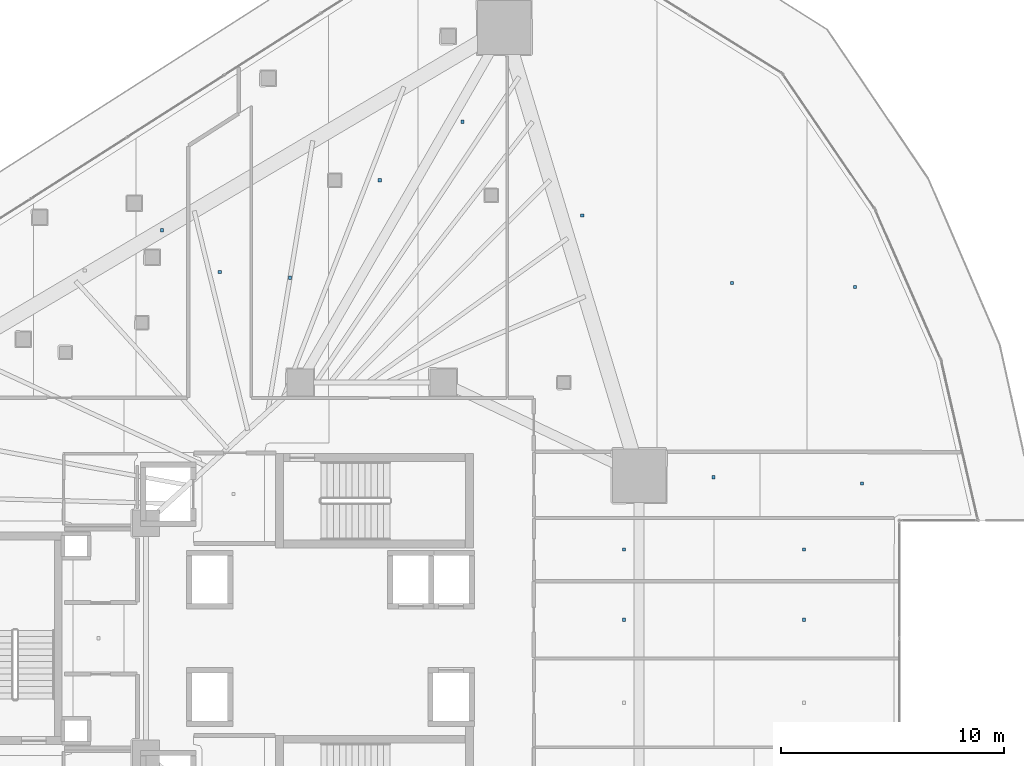
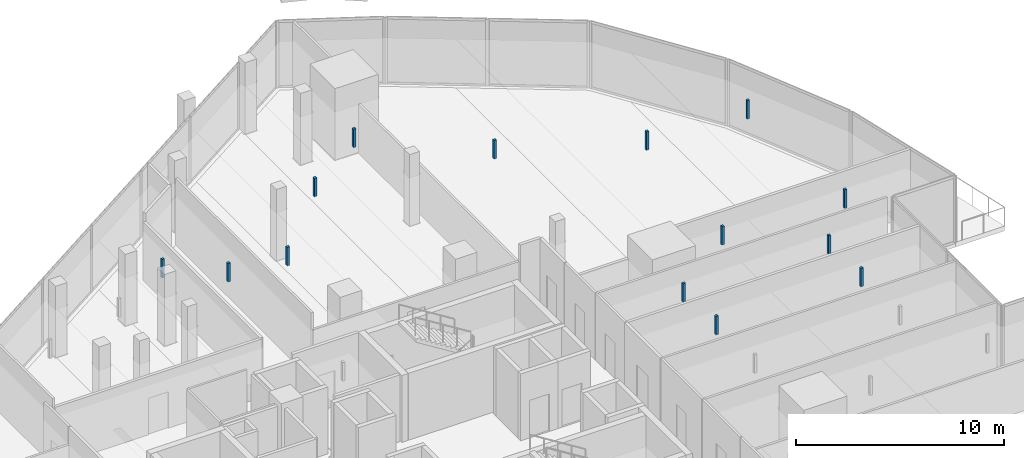
# One storey, part 34 of 44: 14 discrete accessories.
"""IFC4 building model written with IfcOpenShell, lengths in metres."""

import ifcopenshell
import ifcopenshell.guid

model = None  # the IFC model being written
_history = None  # IfcOwnerHistory: only IFC2X3 demands one
_inside = {}  # id of a spatial element -> (the spatial element, [elements in it])
_under = {}  # id of a project, library or spatial element -> (it, [spatial elements below it])
_declared = {}  # id of a project -> (the project, [libraries it declares])
_typed = {}  # id of a type object -> (the type object, [elements of that type])
_made_of = {}  # id of a material, layer set ... -> (it, [elements and type objects made of it])


def new_model(schema):
    """Start an empty IFC model of exactly this schema.

    Asked for "IFC4X3", IfcOpenShell would pick the latest addendum, in which some entities
    have other attributes; the version numbers below select the first issue.
    IFC2X3 requires an IfcOwnerHistory on every rooted entity: one is made here for all.
    """
    global model, _history
    if schema == "IFC4X3":
        model = ifcopenshell.file(schema_version=(4, 3, 0, 0))
    else:
        model = ifcopenshell.file(schema=schema)
    _inside.clear()
    _under.clear()
    _declared.clear()
    _typed.clear()
    _made_of.clear()
    _history = None
    if model.schema == "IFC2X3":
        org = make("IfcOrganization", Name="unknown")
        user = make(
            "IfcPersonAndOrganization",
            ThePerson=make("IfcPerson", FamilyName="unknown"),
            TheOrganization=org,
        )
        app = make(
            "IfcApplication",
            ApplicationDeveloper=org,
            Version="unknown",
            ApplicationFullName="unknown",
            ApplicationIdentifier="unknown",
        )
        _history = make(
            "IfcOwnerHistory",
            OwningUser=user,
            OwningApplication=app,
            ChangeAction="ADDED",
            CreationDate=0,
        )
    return model


def make(cls, **values):
    """One entity of the class cls with the attributes given. An attribute that is None is left unset."""
    return model.create_entity(
        cls, **{name: value for name, value in values.items() if value is not None}
    )


def rooted(cls, **values):
    """An entity with a GlobalId (a new one), such as an element, a storey or a relation."""
    return make(cls, GlobalId=ifcopenshell.guid.new(), OwnerHistory=_history, **values)


def si_unit(unit_type, name, prefix=None):
    """IfcSIUnit, for example si_unit("LENGTHUNIT", "METRE", prefix="MILLI")."""
    return make("IfcSIUnit", UnitType=unit_type, Prefix=prefix, Name=name)


def assignment(units):
    """IfcUnitAssignment: the units of a project."""
    return None if units is None else make("IfcUnitAssignment", Units=units)


def point(xyz):
    """IfcCartesianPoint."""
    return None if xyz is None else make("IfcCartesianPoint", Coordinates=xyz)


def direction(xyz):
    """IfcDirection."""
    return None if xyz is None else make("IfcDirection", DirectionRatios=xyz)


def frame(location, z_axis=None, x_axis=None):
    """IfcAxis2Placement3D, a coordinate frame: its origin and axes. An axis left out is left unset."""
    return make(
        "IfcAxis2Placement3D",
        Location=point(location),
        Axis=direction(z_axis),
        RefDirection=direction(x_axis),
    )


def frame_2d(location, x_axis=None):
    """IfcAxis2Placement2D, a coordinate frame in the plane: its origin and x axis."""
    return make(
        "IfcAxis2Placement2D", Location=point(location), RefDirection=direction(x_axis)
    )


def origin():
    """The frame at (0, 0, 0) with its axes left unset."""
    return frame((0.0, 0.0, 0.0))


def origin_2d():
    """The frame at (0, 0) in the plane with its x axis left unset."""
    return frame_2d((0.0, 0.0))


def place(relative_to, where):
    """IfcLocalPlacement: puts the frame where relative to a parent placement (None: the world)."""
    return make(
        "IfcLocalPlacement", PlacementRelTo=relative_to, RelativePlacement=where
    )


def context(
    kind, dimensions, precision=None, world=None, true_north=None, identifier=None
):
    """IfcGeometricRepresentationContext, for example the 3D "Model" context."""
    return make(
        "IfcGeometricRepresentationContext",
        ContextIdentifier=identifier,
        ContextType=kind,
        CoordinateSpaceDimension=dimensions,
        Precision=precision,
        WorldCoordinateSystem=world,
        TrueNorth=true_north,
    )


def subcontext(parent, identifier, kind, view, scale=None):
    """IfcGeometricRepresentationSubContext, for example "Body" below "Model"."""
    return make(
        "IfcGeometricRepresentationSubContext",
        ContextIdentifier=identifier,
        ContextType=kind,
        ParentContext=parent,
        TargetScale=scale,
        TargetView=view,
    )


def project(units=None, contexts=None):
    """IfcProject with its units and contexts."""
    return rooted(
        "IfcProject",
        Name="project",
        RepresentationContexts=contexts,
        UnitsInContext=assignment(units),
    )


def spatial(cls, under=None, at=None, **own):
    """A site, building, storey or space (cls), placed at a placement, below another one or the project."""
    s = rooted(cls, ObjectPlacement=at, **own)
    if under is not None:
        _under.setdefault(under.id(), (under, []))[1].append(s)
    return s


def profile(cls, at=None, kind="AREA", **sizes):
    """A parametric profile (cls). Its sizes go by their IFC names, for example OverallWidth=200.0."""
    return make(cls, ProfileType=kind, Position=at, **sizes)


def rectangle(**sizes):
    """IfcRectangleProfileDef."""
    return profile("IfcRectangleProfileDef", **sizes)


def extrude(swept, where, along, depth):
    """IfcExtrudedAreaSolid: the profile swept, set in the frame where, extruded along a direction by depth."""
    return make(
        "IfcExtrudedAreaSolid",
        SweptArea=swept,
        Position=where,
        ExtrudedDirection=direction(along),
        Depth=depth,
    )


def shape(context_of_items, identifier, shape_type, items):
    """IfcShapeRepresentation: the items that make up one representation, for example the "Body"."""
    return make(
        "IfcShapeRepresentation",
        ContextOfItems=context_of_items,
        RepresentationIdentifier=identifier,
        RepresentationType=shape_type,
        Items=items,
    )


def material(Name=None, Category=None):
    """IfcMaterial."""
    return make("IfcMaterial", Name=Name, Category=Category)


def made_of(thing, what):
    """Note that an element or type object is made of a material, layer set ...; save() writes the relation."""
    if what is not None:
        _made_of.setdefault(what.id(), (what, []))[1].append(thing)
    return thing


def type_object(cls, material=None, **own):
    """A type object (cls), such as IfcWallType, which elements share."""
    return made_of(rooted(cls, **own), material)


def element(
    cls,
    number,
    at=None,
    inside=None,
    cuts=None,
    type_object=None,
    material=None,
    context=None,
    identifier="Body",
    shape_type=None,
    held_by="IfcProductDefinitionShape",
    body=None,
    shapes=None,
    **own,
):
    """One element of the class cls, such as IfcWall. Its Tag is "e" and its number.

    at: its placement. inside: the storey or other place that contains it. cuts: it is an
    opening in that element (IfcRelVoidsElement). A single representation is given by context,
    identifier, shape_type and body (its items); several are given by shapes. held_by: the class
    of the entity that holds the representations. save() writes the other relations.
    """
    e = rooted(cls, Tag="e%d" % number, ObjectPlacement=at, **own)
    if body is not None:
        shapes = [shape(context, identifier, shape_type, body)]
    if shapes is not None:
        e.Representation = make(held_by, Representations=shapes)
    if inside is not None:
        _inside.setdefault(inside.id(), (inside, []))[1].append(e)
    if cuts is not None:
        rooted(
            "IfcRelVoidsElement", RelatingBuildingElement=cuts, RelatedOpeningElement=e
        )
    if type_object is not None:
        _typed.setdefault(type_object.id(), (type_object, []))[1].append(e)
    return made_of(e, material)


def aggregate(whole, parts):
    """IfcRelAggregates: a whole, such as a stair, and the parts it consists of."""
    return rooted("IfcRelAggregates", RelatingObject=whole, RelatedObjects=parts)


def save(model, path):
    """Write the relations noted so far, then the file.

    IfcRelAggregates (storeys below a building ...), IfcRelContainedInSpatialStructure (elements
    in a storey), IfcRelDefinesByType, IfcRelAssociatesMaterial and IfcRelDeclares: one each for
    every whole, place, type object, material and project.
    """
    for whole, parts in _under.values():
        aggregate(whole, parts)
    for where, things in _inside.values():
        rooted(
            "IfcRelContainedInSpatialStructure",
            RelatedElements=things,
            RelatingStructure=where,
        )
    for kind, things in _typed.values():
        rooted("IfcRelDefinesByType", RelatedObjects=things, RelatingType=kind)
    for what, things in _made_of.values():
        rooted("IfcRelAssociatesMaterial", RelatedObjects=things, RelatingMaterial=what)
    for by, libraries in _declared.values():
        rooted("IfcRelDeclares", RelatingContext=by, RelatedDefinitions=libraries)
    model.write(path)


model = new_model("IFC4")

# Units and contexts
model_context = context("Model", 3, precision=1e-05, world=origin(), true_north=direction((0.0, 1.0)))
body_context = subcontext(model_context, "Body", "Model", "MODEL_VIEW")
ifc_project = project(units=[si_unit("LENGTHUNIT", "METRE"), si_unit("AREAUNIT", "SQUARE_METRE"), si_unit("VOLUMEUNIT", "CUBIC_METRE"), si_unit("PLANEANGLEUNIT", "RADIAN"), si_unit("MASSUNIT", "GRAM", prefix="KILO")], contexts=[model_context])

# Site, building, storey
site_placement = place(None, origin())
site = spatial("IfcSite", under=ifc_project, at=site_placement, CompositionType="ELEMENT")
building_placement = place(site_placement, origin())
building = spatial("IfcBuilding", under=site, at=building_placement, Name="Qorvath Tower", CompositionType="ELEMENT")
storey_placement = place(building_placement, frame((0.0, 0.0, 57.60009765625)))
storey = spatial("IfcBuildingStorey", under=building, at=storey_placement, Name="L12", CompositionType="ELEMENT", Elevation=57.60009765625)

# Discrete accessories
ifc_material = material(Name="Galvanised steel bracket", Category="steel")
discrete_accessory_type = type_object("IfcDiscreteAccessoryType", Name="DA-BRACKET", PredefinedType="BRACKET", material=ifc_material)
for number, where, z_axis, x_axis, name in (
    (1, (-27.199951171875, 16.38916015625, 2.85986328125), (0.0, 0.0, 1.0), (1.0, 0.0, 0.0), "Acoustic Ceiling Suspension Hanger T1-L12-009"),
    (2, (-29.776123046875, 18.260009765625, 2.85986328125), (0.0, 0.0, 1.0), (1.0, 0.0, 0.0), "Acoustic Ceiling Suspension Hanger T1-L12-014"),
    (3, (-24.0595703125, 16.135009765625, 2.85986328125), (0.0, 0.0, 1.0), (1.0, 0.0, 0.0), "Acoustic Ceiling Suspension Hanger T1-L12-015"),
    (4, (-20.036865234375, 20.494873046875, 2.85986328125), (0.0, 0.0, 1.0), (1.0, 0.0, 0.0), "Acoustic Ceiling Suspension Hanger T1-L12-016"),
    (5, (-16.340576171875, 23.11181640625, 2.85986328125), (0.0, 0.0, 1.0), (1.0, 0.0, 0.0), "Acoustic Ceiling Suspension Hanger T1-L12-017"),
    (6, (-10.97607421875, 18.9189453125, 2.85986328125), (0.0, 0.0, 1.0), (1.0, 0.0, 0.0), "Acoustic Ceiling Suspension Hanger T1-L12-018"),
    (7, (-4.27783203125, 15.8896484375, 2.85986328125), (0.0, 0.0, 1.0), (1.0, 0.0, 0.0), "Acoustic Ceiling Suspension Hanger T1-L12-019"),
    (8, (1.228515625, 15.72412109375, 2.85986328125), (0.0, 0.0, 1.0), (1.0, 0.0, 0.0), "Acoustic Ceiling Suspension Hanger T1-L12-020"),
    (9, (-9.111572265625, 0.83251953125, 2.85986328125), (0.0, 0.0, 1.0), (1.0, 0.0, 0.0), "Acoustic Ceiling Suspension Hanger T1-L12-034"),
    (10, (-1.06103515625, 0.83251953125, 2.85986328125), (0.0, 0.0, 1.0), (1.0, 0.0, 0.0), "Acoustic Ceiling Suspension Hanger T1-L12-035"),
    (11, (-9.10791015625, 3.9765625, 2.85986328125), (0.0, 0.0, 1.0), (1.0, 0.0, 0.0), "Acoustic Ceiling Suspension Hanger T1-L12-036"),
    (12, (-1.050048828125, 3.9765625, 2.85986328125), (0.0, 0.0, 1.0), (1.0, 0.0, 0.0), "Acoustic Ceiling Suspension Hanger T1-L12-037"),
    (13, (-5.102294921875, 7.203857421875, 2.85986328125), (0.0, 0.0, 1.0), (1.0, 0.0, 0.0), "Acoustic Ceiling Suspension Hanger T1-L12-038"),
    (14, (1.532470703125, 6.92236328125, 2.85986328125), (0.0, 0.0, 1.0), (1.0, 0.0, 0.0), "Acoustic Ceiling Suspension Hanger T1-L12-039"),
):
    element("IfcDiscreteAccessory", number, at=place(storey_placement, frame(where, z_axis=z_axis, x_axis=x_axis)), inside=storey, type_object=discrete_accessory_type, Name=name, PredefinedType="NOTDEFINED", context=body_context, shape_type="SweptSolid", body=[
        extrude(rectangle(XDim=0.139892578125, YDim=0.139892578125, at=origin_2d()), origin(), (0.0, 0.0, 1.0), 1.090087890625),
    ])

save(model, "model.ifc")
